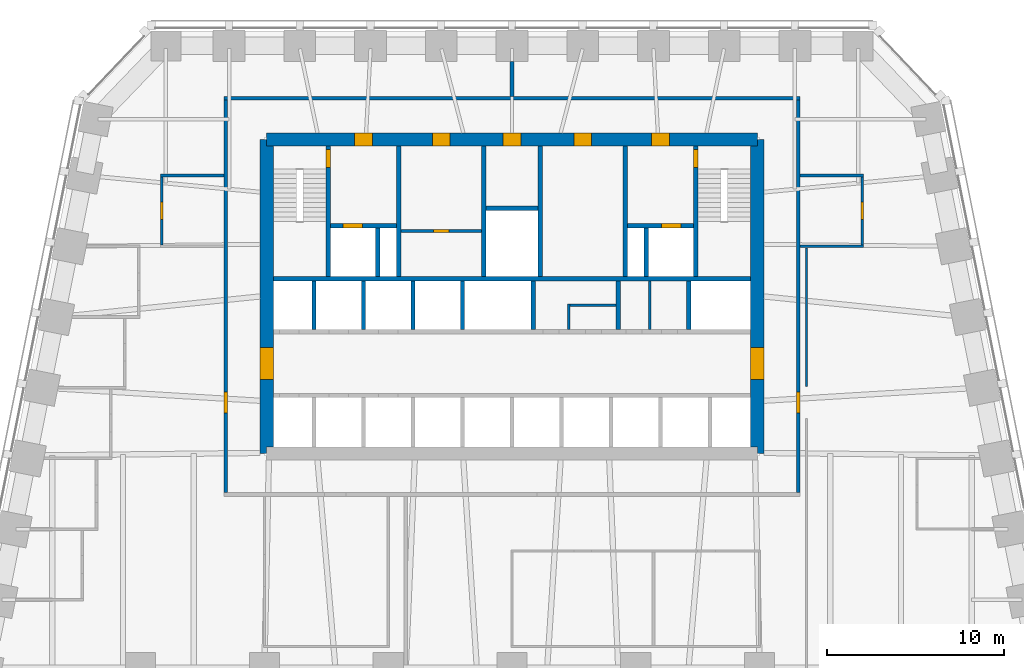
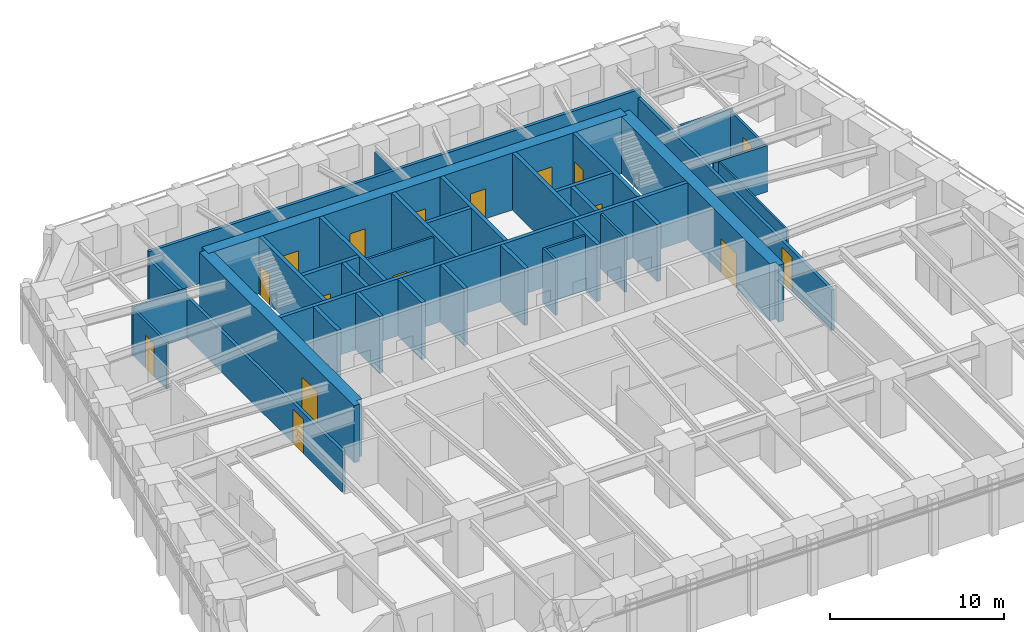
# One storey, part 7 of 10: 36 walls, 16 doors, 16 openings.
"""IFC4 building model written with IfcOpenShell, lengths in metres."""

from ifc_helpers import new_model, si_unit, direction, frame, frame_2d, origin, place, context, subcontext, project, spatial, polyline, rectangle, outline, extrude, material, layer, layer_set, type_object, element, fill, save


model = new_model("IFC4")

# Units and contexts
model_context = context("Model", 3, precision=1e-05, world=origin(), true_north=direction((0.0, 1.0)))
body_context = subcontext(model_context, "Body", "Model", "MODEL_VIEW")
ifc_project = project(units=[si_unit("LENGTHUNIT", "METRE"), si_unit("AREAUNIT", "SQUARE_METRE"), si_unit("VOLUMEUNIT", "CUBIC_METRE"), si_unit("PLANEANGLEUNIT", "RADIAN"), si_unit("MASSUNIT", "GRAM", prefix="KILO")], contexts=[model_context])

# Site, building, storey
site_placement = place(None, origin())
site = spatial("IfcSite", under=ifc_project, at=site_placement, CompositionType="ELEMENT")
building_placement = place(site_placement, origin())
building = spatial("IfcBuilding", under=site, at=building_placement, Name="Isbrekke Arena Tower", CompositionType="ELEMENT")
storey_placement = place(building_placement, frame((0.0, 0.0, 103.0)))
storey = spatial("IfcBuildingStorey", under=building, at=storey_placement, Name="L22", CompositionType="ELEMENT", Elevation=103.0)

# Wall, opening, door
ifc_material_1 = material(Name="Concrete B55 (C55/67)", Category="concrete")
ifc_layer_1 = layer(ifc_material_1, 0.75)
ifc_layer_set_1 = layer_set([ifc_layer_1], Name="CW3 CORE WALL 750")
wall_type_1 = type_object("IfcWallType", Name="CW3 CORE WALL 750", PredefinedType="SHEAR", material=ifc_layer_set_1)
wall_1_placement = place(storey_placement, frame((13.875, 6.125, 0.0), z_axis=(0.0, 0.0, 1.0), x_axis=(0.0, 1.0, 0.0)))
wall_1 = element("IfcWall", 1, at=wall_1_placement, inside=storey, type_object=wall_type_1, Name="Core wall E L22", PredefinedType="SHEAR", context=body_context, shape_type="SweptSolid", body=[
    extrude(outline(polyline([(0.0, -0.375), (17.75, -0.375), (17.75, 0.0), (17.375, 0.0), (17.375, 0.375), (0.375, 0.375), (0.375, 0.0), (0.0, 0.0), (0.0, -0.375)])), origin(), (0.0, 0.0, 1.0), 4.0),
])
opening_1_placement = place(wall_1_placement, frame((4.175048828125, 0.0, 0.0)))
opening_1 = element("IfcOpeningElement", 2, at=opening_1_placement, cuts=wall_1, Name="Opening D1", PredefinedType="OPENING", context=body_context, shape_type="SweptSolid", body=[
    extrude(rectangle(XDim=1.800048828125, YDim=2.39990234375, at=frame_2d((0.89990234375, 1.199951171875))), frame((0.0, 0.389892578125, 0.0), z_axis=(0.0, -1.0, 0.0), x_axis=(1.0, 0.0, 0.0)), (0.0, 0.0, 1.0), 0.77978515625),
])
ifc_material_2 = material(Name="Steel-framed glazed fire door", Category="steel")
door_type_1 = type_object("IfcDoorType", Name="D1 CORE LOBBY DOOR 1800 x 2400", OperationType="DOUBLE_DOOR_SINGLE_SWING", PredefinedType="DOOR", material=ifc_material_2)
door_1_placement = place(opening_1_placement, origin())
door_1 = element("IfcDoor", 3, at=door_1_placement, inside=storey, type_object=door_type_1, Name="D1 lift lobby door east L22", OperationType="DOUBLE_DOOR_SINGLE_SWING", OverallHeight=2.39990234375, OverallWidth=1.800048828125, PredefinedType="DOOR", context=body_context, shape_type="SweptSolid", body=[
    extrude(rectangle(XDim=1.800048828125, YDim=2.39990234375, at=frame_2d((0.89990234375, 1.199951171875))), frame((0.0, 0.374755859375, 0.0), z_axis=(0.0, -1.0, 0.0), x_axis=(1.0, 0.0, 0.0)), (0.0, 0.0, 1.0), 0.74951171875),
])
fill(opening_1, door_1)

# Wall, openings, doors
wall_2_placement = place(storey_placement, frame((13.875, 23.875, 0.0), z_axis=(0.0, 0.0, 1.0), x_axis=(-1.0, 0.0, 0.0)))
wall_2 = element("IfcWall", 4, at=wall_2_placement, inside=storey, type_object=wall_type_1, Name="Core wall N L22", PredefinedType="SHEAR", context=body_context, shape_type="SweptSolid", body=[
    extrude(rectangle(XDim=27.75, YDim=0.75, at=frame_2d((13.875, 0.0))), origin(), (0.0, 0.0, 1.0), 4.0),
])
opening_2_placement = place(wall_2_placement, frame((21.77490234375, 0.0, 0.0)))
opening_2 = element("IfcOpeningElement", 5, at=opening_2_placement, cuts=wall_2, Name="Opening D3", PredefinedType="OPENING", context=body_context, shape_type="SweptSolid", body=[
    extrude(rectangle(XDim=1.0, YDim=2.10009765625, at=frame_2d((0.5, 1.050048828125))), frame((0.0, 0.389892578125, 0.0), z_axis=(0.0, -1.0, 0.0), x_axis=(1.0, 0.0, 0.0)), (0.0, 0.0, 1.0), 0.77978515625),
])
opening_3_placement = place(wall_2_placement, frame((4.97509765625, 0.0, 0.0)))
opening_3 = element("IfcOpeningElement", 6, at=opening_3_placement, cuts=wall_2, Name="Opening D3", PredefinedType="OPENING", context=body_context, shape_type="SweptSolid", body=[
    extrude(rectangle(XDim=1.0, YDim=2.10009765625, at=frame_2d((0.5, 1.050048828125))), frame((0.0, 0.389892578125, 0.0), z_axis=(0.0, -1.0, 0.0), x_axis=(1.0, 0.0, 0.0)), (0.0, 0.0, 1.0), 0.77978515625),
])
opening_4_placement = place(wall_2_placement, frame((17.375, 0.0, 0.0)))
opening_4 = element("IfcOpeningElement", 7, at=opening_4_placement, cuts=wall_2, Name="Opening D4", PredefinedType="OPENING", context=body_context, shape_type="SweptSolid", body=[
    extrude(rectangle(XDim=1.0, YDim=2.10009765625, at=frame_2d((0.5, 1.050048828125))), frame((0.0, 0.389892578125, 0.0), z_axis=(0.0, -1.0, 0.0), x_axis=(1.0, 0.0, 0.0)), (0.0, 0.0, 1.0), 0.77978515625),
])
opening_5_placement = place(wall_2_placement, frame((13.375, 0.0, 0.0)))
opening_5 = element("IfcOpeningElement", 8, at=opening_5_placement, cuts=wall_2, Name="Opening D4", PredefinedType="OPENING", context=body_context, shape_type="SweptSolid", body=[
    extrude(rectangle(XDim=1.0, YDim=2.10009765625, at=frame_2d((0.5, 1.050048828125))), frame((0.0, 0.389892578125, 0.0), z_axis=(0.0, -1.0, 0.0), x_axis=(1.0, 0.0, 0.0)), (0.0, 0.0, 1.0), 0.77978515625),
])
opening_6_placement = place(wall_2_placement, frame((9.375, 0.0, 0.0)))
opening_6 = element("IfcOpeningElement", 9, at=opening_6_placement, cuts=wall_2, Name="Opening D4", PredefinedType="OPENING", context=body_context, shape_type="SweptSolid", body=[
    extrude(rectangle(XDim=1.0, YDim=2.10009765625, at=frame_2d((0.5, 1.050048828125))), frame((0.0, 0.389892578125, 0.0), z_axis=(0.0, -1.0, 0.0), x_axis=(1.0, 0.0, 0.0)), (0.0, 0.0, 1.0), 0.77978515625),
])
ifc_material_3 = material(Name="Steel fire door", Category="steel")
door_type_2 = type_object("IfcDoorType", Name="D3 FIRE LOBBY DOOR 1000 x 2100", OperationType="SINGLE_SWING_RIGHT", PredefinedType="DOOR", material=ifc_material_3)
door_2_placement = place(opening_2_placement, origin())
door_2 = element("IfcDoor", 10, at=door_2_placement, inside=storey, type_object=door_type_2, Name="D3 fire-fighting lobby door L22", OperationType="SINGLE_SWING_RIGHT", OverallHeight=2.10009765625, OverallWidth=1.0, PredefinedType="DOOR", context=body_context, shape_type="SweptSolid", body=[
    extrude(rectangle(XDim=1.0, YDim=2.10009765625, at=frame_2d((0.5, 1.050048828125))), frame((0.0, 0.374755859375, 0.0), z_axis=(0.0, -1.0, 0.0), x_axis=(1.0, 0.0, 0.0)), (0.0, 0.0, 1.0), 0.74951171875),
])
fill(opening_2, door_2)
door_3_placement = place(opening_3_placement, origin())
door_3 = element("IfcDoor", 11, at=door_3_placement, inside=storey, type_object=door_type_2, Name="D3 fire-fighting lobby door L22", OperationType="SINGLE_SWING_RIGHT", OverallHeight=2.10009765625, OverallWidth=1.0, PredefinedType="DOOR", context=body_context, shape_type="SweptSolid", body=[
    extrude(rectangle(XDim=1.0, YDim=2.10009765625, at=frame_2d((0.5, 1.050048828125))), frame((0.0, 0.374755859375, 0.0), z_axis=(0.0, -1.0, 0.0), x_axis=(1.0, 0.0, 0.0)), (0.0, 0.0, 1.0), 0.74951171875),
])
fill(opening_3, door_3)
ifc_material_4 = material(Name="Timber door", Category="wood")
door_type_3 = type_object("IfcDoorType", Name="D4 WC DOOR 1000 x 2100", OperationType="SINGLE_SWING_LEFT", PredefinedType="DOOR", material=ifc_material_4)
door_4_placement = place(opening_4_placement, origin())
door_4 = element("IfcDoor", 12, at=door_4_placement, inside=storey, type_object=door_type_3, Name="D4 wc female door L22", OperationType="SINGLE_SWING_LEFT", OverallHeight=2.10009765625, OverallWidth=1.0, PredefinedType="DOOR", context=body_context, shape_type="SweptSolid", body=[
    extrude(rectangle(XDim=1.0, YDim=2.10009765625, at=frame_2d((0.5, 1.050048828125))), frame((0.0, 0.374755859375, 0.0), z_axis=(0.0, -1.0, 0.0), x_axis=(1.0, 0.0, 0.0)), (0.0, 0.0, 1.0), 0.74951171875),
])
fill(opening_4, door_4)
door_5_placement = place(opening_5_placement, origin())
door_5 = element("IfcDoor", 13, at=door_5_placement, inside=storey, type_object=door_type_3, Name="D4 accessible wc door L22", OperationType="SINGLE_SWING_LEFT", OverallHeight=2.10009765625, OverallWidth=1.0, PredefinedType="DOOR", context=body_context, shape_type="SweptSolid", body=[
    extrude(rectangle(XDim=1.0, YDim=2.10009765625, at=frame_2d((0.5, 1.050048828125))), frame((0.0, 0.374755859375, 0.0), z_axis=(0.0, -1.0, 0.0), x_axis=(1.0, 0.0, 0.0)), (0.0, 0.0, 1.0), 0.74951171875),
])
fill(opening_5, door_5)
door_6_placement = place(opening_6_placement, origin())
door_6 = element("IfcDoor", 14, at=door_6_placement, inside=storey, type_object=door_type_3, Name="D4 wc male door L22", OperationType="SINGLE_SWING_LEFT", OverallHeight=2.10009765625, OverallWidth=1.0, PredefinedType="DOOR", context=body_context, shape_type="SweptSolid", body=[
    extrude(rectangle(XDim=1.0, YDim=2.10009765625, at=frame_2d((0.5, 1.050048828125))), frame((0.0, 0.374755859375, 0.0), z_axis=(0.0, -1.0, 0.0), x_axis=(1.0, 0.0, 0.0)), (0.0, 0.0, 1.0), 0.74951171875),
])
fill(opening_6, door_6)

# Wall, opening, door
wall_3_placement = place(storey_placement, frame((-13.875, 23.875, 0.0), z_axis=(0.0, 0.0, 1.0), x_axis=(0.0, -1.0, 0.0)))
wall_3 = element("IfcWall", 15, at=wall_3_placement, inside=storey, type_object=wall_type_1, Name="Core wall W L22", PredefinedType="SHEAR", context=body_context, shape_type="SweptSolid", body=[
    extrude(outline(polyline([(0.0, -0.375), (17.75, -0.375), (17.75, 0.0), (17.375, 0.0), (17.375, 0.375), (0.375, 0.375), (0.375, 0.0), (0.0, 0.0), (0.0, -0.375)])), origin(), (0.0, 0.0, 1.0), 4.0),
])
opening_7_placement = place(wall_3_placement, frame((11.77490234375, 0.0, 0.0)))
opening_7 = element("IfcOpeningElement", 16, at=opening_7_placement, cuts=wall_3, Name="Opening D1", PredefinedType="OPENING", context=body_context, shape_type="SweptSolid", body=[
    extrude(rectangle(XDim=1.800048828125, YDim=2.39990234375, at=frame_2d((0.89990234375, 1.199951171875))), frame((0.0, 0.389892578125, 0.0), z_axis=(0.0, -1.0, 0.0), x_axis=(1.0, 0.0, 0.0)), (0.0, 0.0, 1.0), 0.77978515625),
])
door_7_placement = place(opening_7_placement, origin())
door_7 = element("IfcDoor", 17, at=door_7_placement, inside=storey, type_object=door_type_1, Name="D1 lift lobby door west L22", OperationType="DOUBLE_DOOR_SINGLE_SWING", OverallHeight=2.39990234375, OverallWidth=1.800048828125, PredefinedType="DOOR", context=body_context, shape_type="SweptSolid", body=[
    extrude(rectangle(XDim=1.800048828125, YDim=2.39990234375, at=frame_2d((0.89990234375, 1.199951171875))), frame((0.0, 0.374755859375, 0.0), z_axis=(0.0, -1.0, 0.0), x_axis=(1.0, 0.0, 0.0)), (0.0, 0.0, 1.0), 0.74951171875),
])
fill(opening_7, door_7)

# Walls
ifc_material_5 = material(Name="Concrete B45 (C45/55)", Category="concrete")
ifc_layer_2 = layer(ifc_material_5, 0.25)
ifc_layer_set_2 = layer_set([ifc_layer_2], Name="CW6 SHAFT WALL 250")
wall_type_2 = type_object("IfcWallType", Name="CW6 SHAFT WALL 250", PredefinedType="SHEAR", material=ifc_layer_set_2)
wall_4_placement = place(storey_placement, frame((-13.5, 16.0, 0.0), z_axis=(0.0, 0.0, 1.0), x_axis=(1.0, 0.0, 0.0)))
element("IfcWall", 18, at=wall_4_placement, inside=storey, type_object=wall_type_2, Name="Core wall NB L22", PredefinedType="SHEAR", context=body_context, shape_type="SweptSolid", body=[
    extrude(rectangle(XDim=27.0, YDim=0.25, at=frame_2d((13.5, 0.0))), origin(), (0.0, 0.0, 1.0), 4.0),
])
for number, where, z_axis, x_axis, name in (
    (19, (-11.199951171875, 13.125, 0.0), (0.0, 0.0, 1.0), (0.0, 1.0, 0.0), "Core wall SN01 L22"),
    (20, (-8.39990234375, 13.125, 0.0), (0.0, 0.0, 1.0), (0.0, 1.0, 0.0), "Core wall SN02 L22"),
    (21, (-5.60009765625, 13.125, 0.0), (0.0, 0.0, 1.0), (0.0, 1.0, 0.0), "Core wall SN03 L22"),
    (22, (-2.800048828125, 13.125, 0.0), (0.0, 0.0, 1.0), (0.0, 1.0, 0.0), "Core wall SN04 L22"),
    (23, (1.199951171875, 13.125, 0.0), (0.0, 0.0, 1.0), (0.0, 1.0, 0.0), "Core wall SN05 L22"),
    (24, (6.0, 13.125, 0.0), (0.0, 0.0, 1.0), (0.0, 1.0, 0.0), "Core wall SN06 L22"),
    (25, (10.0, 13.125, 0.0), (0.0, 0.0, 1.0), (0.0, 1.0, 0.0), "Core wall SN07 L22"),
):
    element("IfcWall", number, at=place(storey_placement, frame(where, z_axis=z_axis, x_axis=x_axis)), inside=storey, type_object=wall_type_2, Name=name, PredefinedType="SHEAR", context=body_context, shape_type="SweptSolid", body=[
        extrude(rectangle(XDim=2.75, YDim=0.25, at=frame_2d((1.375, 0.0))), origin(), (0.0, 0.0, 1.0), 4.0),
    ])

# Wall, opening, door
wall_5_placement = place(storey_placement, frame((-10.39990234375, 16.125, 0.0), z_axis=(0.0, 0.0, 1.0), x_axis=(0.0, 1.0, 0.0)))
wall_5 = element("IfcWall", 26, at=wall_5_placement, inside=storey, type_object=wall_type_2, Name="Core wall NV01 L22", PredefinedType="SHEAR", context=body_context, shape_type="SweptSolid", body=[
    extrude(rectangle(XDim=7.375, YDim=0.25, at=frame_2d((3.6875, 0.0))), origin(), (0.0, 0.0, 1.0), 4.0),
])
opening_8_placement = place(wall_5_placement, frame((6.175048828125, 0.0, 0.0)))
opening_8 = element("IfcOpeningElement", 27, at=opening_8_placement, cuts=wall_5, Name="Opening D2", PredefinedType="OPENING", context=body_context, shape_type="SweptSolid", body=[
    extrude(rectangle(XDim=1.0, YDim=2.10009765625, at=frame_2d((0.5, 1.050048828125))), frame((0.0, 0.139892578125, 0.0), z_axis=(0.0, -1.0, 0.0), x_axis=(1.0, 0.0, 0.0)), (0.0, 0.0, 1.0), 0.27978515625),
])
ifc_material_6 = material(Name="Steel fire door", Category="steel")
door_type_4 = type_object("IfcDoorType", Name="D2 STAIR DOOR 1000 x 2100", OperationType="SINGLE_SWING_LEFT", PredefinedType="DOOR", material=ifc_material_6)
door_8_placement = place(opening_8_placement, origin())
door_8 = element("IfcDoor", 28, at=door_8_placement, inside=storey, type_object=door_type_4, Name="D2 stair door ST1 L22", OperationType="SINGLE_SWING_LEFT", OverallHeight=2.10009765625, OverallWidth=1.0, PredefinedType="DOOR", context=body_context, shape_type="SweptSolid", body=[
    extrude(rectangle(XDim=1.0, YDim=2.10009765625, at=frame_2d((0.5, 1.050048828125))), frame((0.0, 0.124755859375, 0.0), z_axis=(0.0, -1.0, 0.0), x_axis=(1.0, 0.0, 0.0)), (0.0, 0.0, 1.0), 0.24951171875),
])
fill(opening_8, door_8)

# Walls
for number, where, z_axis, x_axis, name in (
    (29, (-6.39990234375, 16.125, 0.0), (0.0, 0.0, 1.0), (0.0, 1.0, 0.0), "Core wall NV02 L22"),
    (30, (-1.60009765625, 16.125, 0.0), (0.0, 0.0, 1.0), (0.0, 1.0, 0.0), "Core wall NV03 L22"),
    (31, (1.60009765625, 16.125, 0.0), (0.0, 0.0, 1.0), (0.0, 1.0, 0.0), "Core wall NV04 L22"),
    (32, (6.39990234375, 16.125, 0.0), (0.0, 0.0, 1.0), (0.0, 1.0, 0.0), "Core wall NV05 L22"),
):
    element("IfcWall", number, at=place(storey_placement, frame(where, z_axis=z_axis, x_axis=x_axis)), inside=storey, type_object=wall_type_2, Name=name, PredefinedType="SHEAR", context=body_context, shape_type="SweptSolid", body=[
        extrude(rectangle(XDim=7.375, YDim=0.25, at=frame_2d((3.6875, 0.0))), origin(), (0.0, 0.0, 1.0), 4.0),
    ])

# Wall, opening, door
wall_6_placement = place(storey_placement, frame((10.39990234375, 16.125, 0.0), z_axis=(0.0, 0.0, 1.0), x_axis=(0.0, 1.0, 0.0)))
wall_6 = element("IfcWall", 33, at=wall_6_placement, inside=storey, type_object=wall_type_2, Name="Core wall NV06 L22", PredefinedType="SHEAR", context=body_context, shape_type="SweptSolid", body=[
    extrude(rectangle(XDim=7.375, YDim=0.25, at=frame_2d((3.6875, 0.0))), origin(), (0.0, 0.0, 1.0), 4.0),
])
opening_9_placement = place(wall_6_placement, frame((6.175048828125, 0.0, 0.0)))
opening_9 = element("IfcOpeningElement", 34, at=opening_9_placement, cuts=wall_6, Name="Opening D2", PredefinedType="OPENING", context=body_context, shape_type="SweptSolid", body=[
    extrude(rectangle(XDim=1.0, YDim=2.10009765625, at=frame_2d((0.5, 1.050048828125))), frame((0.0, 0.139892578125, 0.0), z_axis=(0.0, -1.0, 0.0), x_axis=(1.0, 0.0, 0.0)), (0.0, 0.0, 1.0), 0.27978515625),
])
door_9_placement = place(opening_9_placement, origin())
door_9 = element("IfcDoor", 35, at=door_9_placement, inside=storey, type_object=door_type_4, Name="D2 stair door ST2 L22", OperationType="SINGLE_SWING_LEFT", OverallHeight=2.10009765625, OverallWidth=1.0, PredefinedType="DOOR", context=body_context, shape_type="SweptSolid", body=[
    extrude(rectangle(XDim=1.0, YDim=2.10009765625, at=frame_2d((0.5, 1.050048828125))), frame((0.0, 0.124755859375, 0.0), z_axis=(0.0, -1.0, 0.0), x_axis=(1.0, 0.0, 0.0)), (0.0, 0.0, 1.0), 0.24951171875),
])
fill(opening_9, door_9)

wall_7_placement = place(storey_placement, frame((-10.27490234375, 19.0, 0.0), z_axis=(0.0, 0.0, 1.0), x_axis=(1.0, 0.0, 0.0)))
wall_7 = element("IfcWall", 36, at=wall_7_placement, inside=storey, type_object=wall_type_2, Name="Core wall NFW L22", PredefinedType="SHEAR", context=body_context, shape_type="SweptSolid", body=[
    extrude(rectangle(XDim=3.75, YDim=0.25, at=frame_2d((1.875, 0.0))), origin(), (0.0, 0.0, 1.0), 4.0),
])
opening_10_placement = place(wall_7_placement, frame((0.72509765625, 0.0, 0.0)))
opening_10 = element("IfcOpeningElement", 37, at=opening_10_placement, cuts=wall_7, Name="Opening LD2", PredefinedType="OPENING", context=body_context, shape_type="SweptSolid", body=[
    extrude(rectangle(XDim=1.10009765625, YDim=2.10009765625, at=frame_2d((0.550048828125, 1.050048828125))), frame((0.0, 0.139892578125, 0.0), z_axis=(0.0, -1.0, 0.0), x_axis=(1.0, 0.0, 0.0)), (0.0, 0.0, 1.0), 0.27978515625),
])
ifc_material_7 = material(Name="Stainless steel lift landing door", Category="steel")
door_type_5 = type_object("IfcDoorType", Name="LD2 FIRE-FIGHTING LIFT LANDING DOOR 1100 x 2100", OperationType="SLIDING_TO_RIGHT", PredefinedType="DOOR", material=ifc_material_7)
door_10_placement = place(opening_10_placement, origin())
door_10 = element("IfcDoor", 38, at=door_10_placement, inside=storey, type_object=door_type_5, Name="LD2 lift landing door LF L22", OperationType="SLIDING_TO_RIGHT", OverallHeight=2.10009765625, OverallWidth=1.10009765625, PredefinedType="DOOR", context=body_context, shape_type="SweptSolid", body=[
    extrude(rectangle(XDim=1.10009765625, YDim=2.10009765625, at=frame_2d((0.550048828125, 1.050048828125))), frame((0.0, 0.124755859375, 0.0), z_axis=(0.0, -1.0, 0.0), x_axis=(1.0, 0.0, 0.0)), (0.0, 0.0, 1.0), 0.24951171875),
])
fill(opening_10, door_10)

wall_8_placement = place(storey_placement, frame((6.52490234375, 19.0, 0.0), z_axis=(0.0, 0.0, 1.0), x_axis=(1.0, 0.0, 0.0)))
wall_8 = element("IfcWall", 39, at=wall_8_placement, inside=storey, type_object=wall_type_2, Name="Core wall NFE L22", PredefinedType="SHEAR", context=body_context, shape_type="SweptSolid", body=[
    extrude(rectangle(XDim=3.75, YDim=0.25, at=frame_2d((1.875, 0.0))), origin(), (0.0, 0.0, 1.0), 4.0),
])
opening_11_placement = place(wall_8_placement, frame((1.925048828125, 0.0, 0.0)))
opening_11 = element("IfcOpeningElement", 40, at=opening_11_placement, cuts=wall_8, Name="Opening LD2", PredefinedType="OPENING", context=body_context, shape_type="SweptSolid", body=[
    extrude(rectangle(XDim=1.10009765625, YDim=2.10009765625, at=frame_2d((0.550048828125, 1.050048828125))), frame((0.0, 0.139892578125, 0.0), z_axis=(0.0, -1.0, 0.0), x_axis=(1.0, 0.0, 0.0)), (0.0, 0.0, 1.0), 0.27978515625),
])
door_11_placement = place(opening_11_placement, origin())
door_11 = element("IfcDoor", 41, at=door_11_placement, inside=storey, type_object=door_type_5, Name="LD2 lift landing door LF L22", OperationType="SLIDING_TO_RIGHT", OverallHeight=2.10009765625, OverallWidth=1.10009765625, PredefinedType="DOOR", context=body_context, shape_type="SweptSolid", body=[
    extrude(rectangle(XDim=1.10009765625, YDim=2.10009765625, at=frame_2d((0.550048828125, 1.050048828125))), frame((0.0, 0.124755859375, 0.0), z_axis=(0.0, -1.0, 0.0), x_axis=(1.0, 0.0, 0.0)), (0.0, 0.0, 1.0), 0.24951171875),
])
fill(opening_11, door_11)

# Walls
for number, where, z_axis, x_axis, name in (
    (42, (-7.60009765625, 16.125, 0.0), (0.0, 0.0, 1.0), (0.0, 1.0, 0.0), "Core wall NFS1 L22"),
    (43, (7.60009765625, 16.125, 0.0), (0.0, 0.0, 1.0), (0.0, 1.0, 0.0), "Core wall NFS2 L22"),
):
    element("IfcWall", number, at=place(storey_placement, frame(where, z_axis=z_axis, x_axis=x_axis)), inside=storey, type_object=wall_type_2, Name=name, PredefinedType="SHEAR", context=body_context, shape_type="SweptSolid", body=[
        extrude(rectangle(XDim=2.75, YDim=0.25, at=frame_2d((1.375, 0.0))), origin(), (0.0, 0.0, 1.0), 4.0),
    ])
wall_9_placement = place(storey_placement, frame((-1.47509765625, 20.0, 0.0), z_axis=(0.0, 0.0, 1.0), x_axis=(1.0, 0.0, 0.0)))
element("IfcWall", 44, at=wall_9_placement, inside=storey, type_object=wall_type_2, Name="Core wall NWC L22", PredefinedType="SHEAR", context=body_context, shape_type="SweptSolid", body=[
    extrude(rectangle(XDim=2.9501953125, YDim=0.25, at=frame_2d((1.47509765625, 0.0))), origin(), (0.0, 0.0, 1.0), 4.0),
])
ifc_material_8 = material(Name="Gypsum board partition on steel studs", Category="steel")
ifc_layer_3 = layer(ifc_material_8, 0.14990234375)
ifc_layer_set_3 = layer_set([ifc_layer_3], Name="IW1 PARTITION 150")
wall_type_3 = type_object("IfcWallType", Name="IW1 PARTITION 150", PredefinedType="PARTITIONING", material=ifc_layer_set_3)
wall_10_placement = place(storey_placement, frame((16.300048828125, 17.840087890625, 0.0), z_axis=(0.0, 0.0, 1.0), x_axis=(1.0, 0.0, 0.0)))
element("IfcWall", 45, at=wall_10_placement, inside=storey, type_object=wall_type_3, Name="IW1 partition 150 L22", PredefinedType="PARTITIONING", context=body_context, shape_type="SweptSolid", body=[
    extrude(rectangle(XDim=3.574951171875, YDim=0.14990234375, at=frame_2d((1.78759765625, 0.0))), origin(), (0.0, 0.0, 1.0), 3.25),
])
for number, where, z_axis, x_axis, name in (
    (46, (-19.875, 21.840087890625, 0.0), (0.0, 0.0, 1.0), (1.0, 0.0, 0.0), "IW1 partition 150 L22"),
    (47, (16.300048828125, 21.840087890625, 0.0), (0.0, 0.0, 1.0), (1.0, 0.0, 0.0), "IW1 partition 150 L22"),
):
    element("IfcWall", number, at=place(storey_placement, frame(where, z_axis=z_axis, x_axis=x_axis)), inside=storey, type_object=wall_type_3, Name=name, PredefinedType="PARTITIONING", context=body_context, shape_type="SweptSolid", body=[
        extrude(rectangle(XDim=3.574951171875, YDim=0.14990234375, at=frame_2d((1.78759765625, 0.0))), origin(), (0.0, 0.0, 1.0), 3.39990234375),
    ])

# Wall, opening, door
wall_11_placement = place(storey_placement, frame((-19.800048828125, 17.9150390625, 0.0), z_axis=(0.0, 0.0, 1.0), x_axis=(0.0, 1.0, 0.0)))
wall_11 = element("IfcWall", 48, at=wall_11_placement, inside=storey, type_object=wall_type_3, Name="IW1 partition 150 L22", PredefinedType="PARTITIONING", context=body_context, shape_type="SweptSolid", body=[
    extrude(rectangle(XDim=3.849853515625, YDim=0.14990234375, at=frame_2d((1.9248046875, 0.0))), origin(), (0.0, 0.0, 1.0), 3.25),
])
opening_12_placement = place(wall_11_placement, frame((1.425048828125, 0.0, 0.0)))
opening_12 = element("IfcOpeningElement", 49, at=opening_12_placement, cuts=wall_11, Name="Opening D10", PredefinedType="OPENING", context=body_context, shape_type="SweptSolid", body=[
    extrude(rectangle(XDim=1.0, YDim=2.300048828125, at=frame_2d((0.5, 1.14990234375))), frame((0.0, 0.08984375, 0.0), z_axis=(0.0, -1.0, 0.0), x_axis=(1.0, 0.0, 0.0)), (0.0, 0.0, 1.0), 0.1796875),
])
ifc_material_9 = material(Name="Timber door", Category="wood")
door_type_6 = type_object("IfcDoorType", Name="D10 OFFICE DOOR 1000 x 2300", OperationType="SINGLE_SWING_LEFT", PredefinedType="DOOR", material=ifc_material_9)
door_12_placement = place(opening_12_placement, origin())
door_12 = element("IfcDoor", 50, at=door_12_placement, inside=storey, type_object=door_type_6, Name="D10 pantry door L22", OperationType="SINGLE_SWING_LEFT", OverallHeight=2.300048828125, OverallWidth=1.0, PredefinedType="DOOR", context=body_context, shape_type="SweptSolid", body=[
    extrude(rectangle(XDim=1.0, YDim=2.300048828125, at=frame_2d((0.5, 1.14990234375))), frame((0.0, 0.07470703125, 0.0), z_axis=(0.0, -1.0, 0.0), x_axis=(1.0, 0.0, 0.0)), (0.0, 0.0, 1.0), 0.1494140625),
])
fill(opening_12, door_12)

wall_12_placement = place(storey_placement, frame((19.800048828125, 17.9150390625, 0.0), z_axis=(0.0, 0.0, 1.0), x_axis=(0.0, 1.0, 0.0)))
wall_12 = element("IfcWall", 51, at=wall_12_placement, inside=storey, type_object=wall_type_3, Name="IW1 partition 150 L22", PredefinedType="PARTITIONING", context=body_context, shape_type="SweptSolid", body=[
    extrude(rectangle(XDim=3.849853515625, YDim=0.14990234375, at=frame_2d((1.9248046875, 0.0))), origin(), (0.0, 0.0, 1.0), 3.25),
])
opening_13_placement = place(wall_12_placement, frame((1.425048828125, 0.0, 0.0)))
opening_13 = element("IfcOpeningElement", 52, at=opening_13_placement, cuts=wall_12, Name="Opening D10", PredefinedType="OPENING", context=body_context, shape_type="SweptSolid", body=[
    extrude(rectangle(XDim=1.0, YDim=2.300048828125, at=frame_2d((0.5, 1.14990234375))), frame((0.0, 0.08984375, 0.0), z_axis=(0.0, -1.0, 0.0), x_axis=(1.0, 0.0, 0.0)), (0.0, 0.0, 1.0), 0.1796875),
])
door_13_placement = place(opening_13_placement, origin())
door_13 = element("IfcDoor", 53, at=door_13_placement, inside=storey, type_object=door_type_6, Name="D10 pantry door L22", OperationType="SINGLE_SWING_LEFT", OverallHeight=2.300048828125, OverallWidth=1.0, PredefinedType="DOOR", context=body_context, shape_type="SweptSolid", body=[
    extrude(rectangle(XDim=1.0, YDim=2.300048828125, at=frame_2d((0.5, 1.14990234375))), frame((0.0, 0.07470703125, 0.0), z_axis=(0.0, -1.0, 0.0), x_axis=(1.0, 0.0, 0.0)), (0.0, 0.0, 1.0), 0.1494140625),
])
fill(opening_13, door_13)

# Walls
ifc_material_10 = material(Name="Frameless glazed partition, laminated acoustic glass", Category="glass")
ifc_layer_4 = layer(ifc_material_10, 0.1201171875)
ifc_layer_set_4 = layer_set([ifc_layer_4], Name="IW2 GLAZED PARTITION 120")
wall_type_4 = type_object("IfcWallType", Name="IW2 GLAZED PARTITION 120", PredefinedType="PARTITIONING", material=ifc_layer_set_4)
wall_13_placement = place(storey_placement, frame((16.660888671875, 9.89990234375, 0.0), z_axis=(0.0, 0.0, 1.0), x_axis=(0.0, 1.0, 0.0)))
element("IfcWall", 54, at=wall_13_placement, inside=storey, type_object=wall_type_4, Name="IW2 glazed partition 120 L22", PredefinedType="PARTITIONING", context=body_context, shape_type="SweptSolid", body=[
    extrude(rectangle(XDim=7.84521484375, YDim=0.1201171875, at=frame_2d((3.922607421875, 0.0))), origin(), (0.0, 0.0, 1.0), 3.25),
])
ifc_material_11 = material(Name="Gypsum board fire-cell wall on steel studs, two layers each side", Category="steel")
ifc_layer_5 = layer(ifc_material_11, 0.199951171875)
ifc_layer_set_5 = layer_set([ifc_layer_5], Name="IW3 FIRE-CELL WALL 200")
wall_type_5 = type_object("IfcWallType", Name="IW3 FIRE-CELL WALL 200", PredefinedType="PARTITIONING", material=ifc_layer_set_5)
wall_14_placement = place(storey_placement, frame((-16.300048828125, 26.199951171875, 0.0), z_axis=(0.0, 0.0, 1.0), x_axis=(1.0, 0.0, 0.0)))
element("IfcWall", 55, at=wall_14_placement, inside=storey, type_object=wall_type_5, Name="IW3 fire-cell wall 200 L22", PredefinedType="PARTITIONING", context=body_context, shape_type="SweptSolid", body=[
    extrude(rectangle(XDim=32.60009765625, YDim=0.199951171875, at=frame_2d((16.300048828125, 0.0))), origin(), (0.0, 0.0, 1.0), 3.39990234375),
])

# Wall, opening, door
wall_15_placement = place(storey_placement, frame((-16.199951171875, 3.89990234375, 0.0), z_axis=(0.0, 0.0, 1.0), x_axis=(0.0, 1.0, 0.0)))
wall_15 = element("IfcWall", 56, at=wall_15_placement, inside=storey, type_object=wall_type_5, Name="IW3 fire-cell wall 200 L22", PredefinedType="PARTITIONING", context=body_context, shape_type="SweptSolid", body=[
    extrude(rectangle(XDim=22.2001953125, YDim=0.199951171875, at=frame_2d((11.10009765625, 0.0))), origin(), (0.0, 0.0, 1.0), 2.842041015625),
])
opening_14_placement = place(wall_15_placement, frame((4.5, 0.0, 0.0)))
opening_14 = element("IfcOpeningElement", 57, at=opening_14_placement, cuts=wall_15, Name="Opening D12", PredefinedType="OPENING", context=body_context, shape_type="SweptSolid", body=[
    extrude(rectangle(XDim=1.199951171875, YDim=2.39990234375, at=frame_2d((0.60009765625, 1.199951171875))), frame((0.0, 0.11474609375, 0.0), z_axis=(0.0, -1.0, 0.0), x_axis=(1.0, 0.0, 0.0)), (0.0, 0.0, 1.0), 0.229736328125),
])
ifc_material_12 = material(Name="Timber fire door with vision panel", Category="wood")
door_type_7 = type_object("IfcDoorType", Name="D12 SUITE ENTRANCE DOOR 1200 x 2400", OperationType="SINGLE_SWING_LEFT", PredefinedType="DOOR", material=ifc_material_12)
door_14_placement = place(opening_14_placement, origin())
door_14 = element("IfcDoor", 58, at=door_14_placement, inside=storey, type_object=door_type_7, Name="D12 suite entrance B door L22", OperationType="SINGLE_SWING_LEFT", OverallHeight=2.39990234375, OverallWidth=1.199951171875, PredefinedType="DOOR", context=body_context, shape_type="SweptSolid", body=[
    extrude(rectangle(XDim=1.199951171875, YDim=2.39990234375, at=frame_2d((0.60009765625, 1.199951171875))), frame((0.0, 0.099609375, 0.0), z_axis=(0.0, -1.0, 0.0), x_axis=(1.0, 0.0, 0.0)), (0.0, 0.0, 1.0), 0.199462890625),
])
fill(opening_14, door_14)

# Wall
wall_16_placement = place(storey_placement, frame((0.0, 26.300048828125, 0.0), z_axis=(0.0, 0.0, 1.0), x_axis=(0.0, 1.0, 0.0)))
element("IfcWall", 59, at=wall_16_placement, inside=storey, type_object=wall_type_5, Name="IW3 fire-cell wall 200 L22", PredefinedType="PARTITIONING", context=body_context, shape_type="SweptSolid", body=[
    extrude(rectangle(XDim=1.974853515625, YDim=0.199951171875, at=frame_2d((0.9873046875, 0.0))), origin(), (0.0, 0.0, 1.0), 3.39990234375),
])

# Wall, opening, door
wall_17_placement = place(storey_placement, frame((16.199951171875, 3.89990234375, 0.0), z_axis=(0.0, 0.0, 1.0), x_axis=(0.0, 1.0, 0.0)))
wall_17 = element("IfcWall", 60, at=wall_17_placement, inside=storey, type_object=wall_type_5, Name="IW3 fire-cell wall 200 L22", PredefinedType="PARTITIONING", context=body_context, shape_type="SweptSolid", body=[
    extrude(rectangle(XDim=22.2001953125, YDim=0.199951171875, at=frame_2d((11.10009765625, 0.0))), origin(), (0.0, 0.0, 1.0), 2.842041015625),
])
opening_15_placement = place(wall_17_placement, frame((4.5, 0.0, 0.0)))
opening_15 = element("IfcOpeningElement", 61, at=opening_15_placement, cuts=wall_17, Name="Opening D12", PredefinedType="OPENING", context=body_context, shape_type="SweptSolid", body=[
    extrude(rectangle(XDim=1.199951171875, YDim=2.39990234375, at=frame_2d((0.60009765625, 1.199951171875))), frame((0.0, 0.11474609375, 0.0), z_axis=(0.0, -1.0, 0.0), x_axis=(1.0, 0.0, 0.0)), (0.0, 0.0, 1.0), 0.229736328125),
])
door_15_placement = place(opening_15_placement, origin())
door_15 = element("IfcDoor", 62, at=door_15_placement, inside=storey, type_object=door_type_7, Name="D12 suite entrance A door L22", OperationType="SINGLE_SWING_LEFT", OverallHeight=2.39990234375, OverallWidth=1.199951171875, PredefinedType="DOOR", context=body_context, shape_type="SweptSolid", body=[
    extrude(rectangle(XDim=1.199951171875, YDim=2.39990234375, at=frame_2d((0.60009765625, 1.199951171875))), frame((0.0, 0.099609375, 0.0), z_axis=(0.0, -1.0, 0.0), x_axis=(1.0, 0.0, 0.0)), (0.0, 0.0, 1.0), 0.199462890625),
])
fill(opening_15, door_15)

ifc_material_13 = material(Name="Gypsum board fire-rated partition on steel studs, two layers each side", Category="steel")
ifc_layer_6 = layer(ifc_material_13, 0.14990234375)
ifc_layer_set_6 = layer_set([ifc_layer_6], Name="IW5 FIRE-RATED PARTITION 150")
wall_type_6 = type_object("IfcWallType", Name="IW5 FIRE-RATED PARTITION 150", PredefinedType="PARTITIONING", material=ifc_layer_set_6)
wall_18_placement = place(storey_placement, frame((-6.27490234375, 18.699951171875, 0.0), z_axis=(0.0, 0.0, 1.0), x_axis=(1.0, 0.0, 0.0)))
wall_18 = element("IfcWall", 63, at=wall_18_placement, inside=storey, type_object=wall_type_6, Name="IW5 fire-rated partition L22 cleaner's store F", PredefinedType="PARTITIONING", context=body_context, shape_type="SweptSolid", body=[
    extrude(rectangle(XDim=4.5498046875, YDim=0.14990234375, at=frame_2d((2.27490234375, 0.0))), origin(), (0.0, 0.0, 1.0), 3.85009765625),
])
opening_16_placement = place(wall_18_placement, frame((1.824951171875, 0.0, 0.0)))
opening_16 = element("IfcOpeningElement", 64, at=opening_16_placement, cuts=wall_18, Name="Opening D5", PredefinedType="OPENING", context=body_context, shape_type="SweptSolid", body=[
    extrude(rectangle(XDim=0.89990234375, YDim=2.10009765625, at=frame_2d((0.449951171875, 1.050048828125))), frame((0.0, 0.08984375, 0.0), z_axis=(0.0, -1.0, 0.0), x_axis=(1.0, 0.0, 0.0)), (0.0, 0.0, 1.0), 0.1796875),
])
ifc_material_14 = material(Name="Steel fire door", Category="steel")
door_type_8 = type_object("IfcDoorType", Name="D5 SERVICE DOOR 900 x 2100", OperationType="SINGLE_SWING_LEFT", PredefinedType="DOOR", material=ifc_material_14)
door_16_placement = place(opening_16_placement, origin())
door_16 = element("IfcDoor", 65, at=door_16_placement, inside=storey, type_object=door_type_8, Name="D5 cleaner's store door L22", OperationType="SINGLE_SWING_LEFT", OverallHeight=2.10009765625, OverallWidth=0.89990234375, PredefinedType="DOOR", context=body_context, shape_type="SweptSolid", body=[
    extrude(rectangle(XDim=0.89990234375, YDim=2.10009765625, at=frame_2d((0.449951171875, 1.050048828125))), frame((0.0, 0.07470703125, 0.0), z_axis=(0.0, -1.0, 0.0), x_axis=(1.0, 0.0, 0.0)), (0.0, 0.0, 1.0), 0.1494140625),
])
fill(opening_16, door_16)

# Walls
wall_19_placement = place(storey_placement, frame((3.199951171875, 13.125, 0.0), z_axis=(0.0, 0.0, 1.0), x_axis=(0.0, 1.0, 0.0)))
element("IfcWall", 66, at=wall_19_placement, inside=storey, type_object=wall_type_6, Name="IW5 fire-rated partition L22 core service rooms 1", PredefinedType="PARTITIONING", context=body_context, shape_type="SweptSolid", body=[
    extrude(rectangle(XDim=1.449951171875, YDim=0.14990234375, at=frame_2d((0.72509765625, 0.0))), origin(), (0.0, 0.0, 1.0), 3.85009765625),
])
wall_20_placement = place(storey_placement, frame((3.27490234375, 14.5, 0.0), z_axis=(0.0, 0.0, 1.0), x_axis=(1.0, 0.0, 0.0)))
element("IfcWall", 67, at=wall_20_placement, inside=storey, type_object=wall_type_6, Name="IW5 fire-rated partition L22 core service rooms 2", PredefinedType="PARTITIONING", context=body_context, shape_type="SweptSolid", body=[
    extrude(rectangle(XDim=2.60009765625, YDim=0.14990234375, at=frame_2d((1.300048828125, 0.0))), origin(), (0.0, 0.0, 1.0), 3.85009765625),
])
wall_21_placement = place(storey_placement, frame((7.800048828125, 13.125, 0.0), z_axis=(0.0, 0.0, 1.0), x_axis=(0.0, 1.0, 0.0)))
element("IfcWall", 68, at=wall_21_placement, inside=storey, type_object=wall_type_6, Name="IW5 fire-rated partition L22 core service rooms 3", PredefinedType="PARTITIONING", context=body_context, shape_type="SweptSolid", body=[
    extrude(rectangle(XDim=2.75, YDim=0.14990234375, at=frame_2d((1.375, 0.0))), origin(), (0.0, 0.0, 1.0), 3.85009765625),
])

save(model, "model.ifc")
